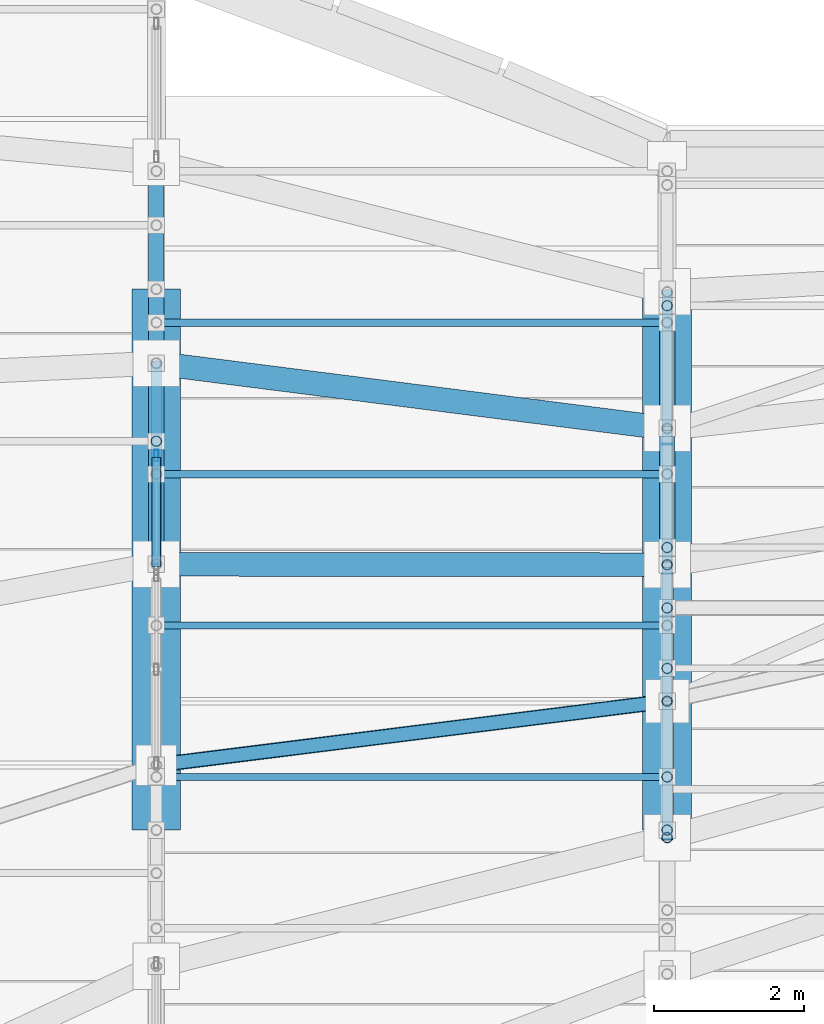
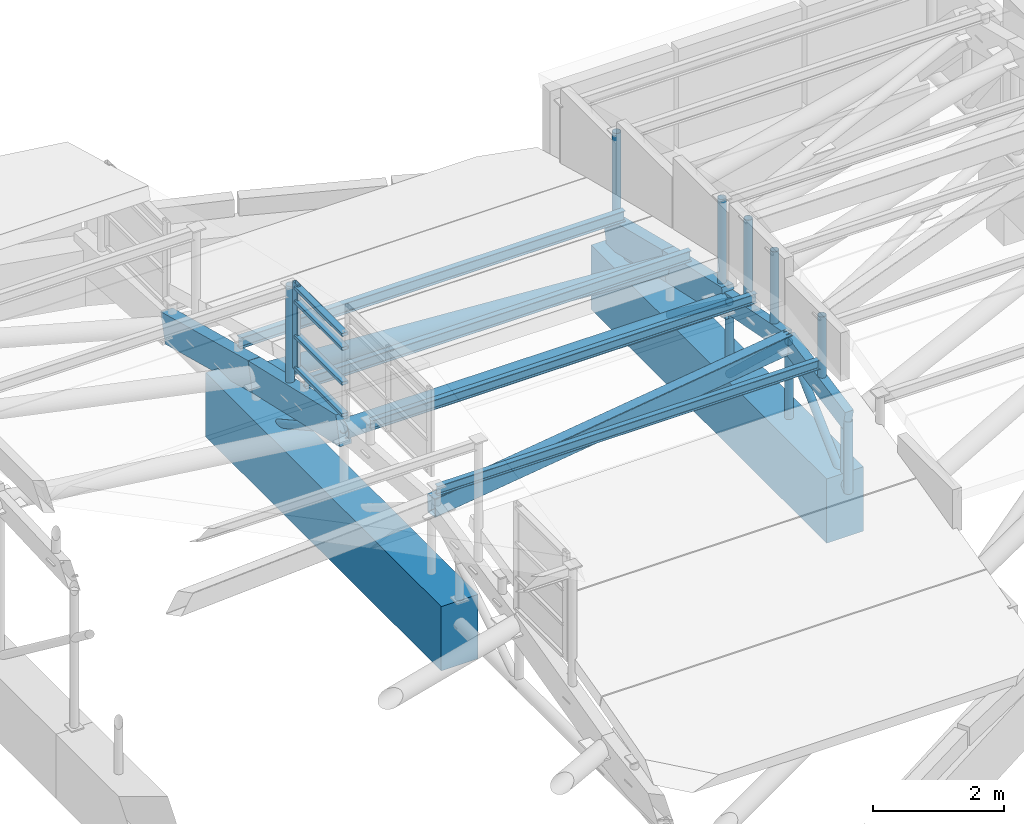
# One storey, part 105 of 188: 33 members, 2 beams, 1 element without a shape of its own.
"""IFC4 building model written with IfcOpenShell, lengths in metres."""

from ifc_helpers import new_model, si_unit, direction, frame, origin, origin_2d, place, context, subcontext, project, spatial, rectangle, hollow_rectangle, hollow_circle, i_section, extrude, material, layer, layer_set, material_profile, profile_set, type_object, element, aggregate, save


model = new_model("IFC4")

# Units and contexts
model_context = context("Model", 3, precision=1e-05, world=origin(), true_north=direction((0.0, 1.0)))
body_context = subcontext(model_context, "Body", "Model", "MODEL_VIEW")
ifc_project = project(units=[si_unit("LENGTHUNIT", "METRE"), si_unit("AREAUNIT", "SQUARE_METRE"), si_unit("VOLUMEUNIT", "CUBIC_METRE"), si_unit("PLANEANGLEUNIT", "RADIAN"), si_unit("MASSUNIT", "GRAM", prefix="KILO")], contexts=[model_context])

# Site, building, storey
site_placement = place(None, origin())
site = spatial("IfcSite", under=ifc_project, at=site_placement, CompositionType="ELEMENT")
building_placement = place(site_placement, origin())
building = spatial("IfcBuilding", under=site, at=building_placement, Name="Kisaragi Civic Commons", CompositionType="ELEMENT")
storey_placement = place(building_placement, frame((0.0, 0.0, 9.60009765625)))
storey = spatial("IfcBuildingStorey", under=building, at=storey_placement, Name="L02", CompositionType="ELEMENT", Elevation=9.60009765625)

# Curtain wall, members
ifc_material_1 = material(Name="Thermally broken anodized aluminium and low-E double glazing", Category="aluminium")
ifc_layer = layer(ifc_material_1, 0.14990234375, Name="Thermally broken anodized aluminium and low-E double glazing", Category="aluminium")
ifc_layer_set = layer_set([ifc_layer], Name="Thermally broken anodized aluminium and low-E double glazing")
curtain_wall_type = type_object("IfcCurtainWallType", Name="CW-03", PredefinedType="NOTDEFINED", material=ifc_layer_set)
curtain_wall_placement = place(storey_placement, origin())
curtain_wall = element("IfcCurtainWall", 1, at=curtain_wall_placement, inside=storey, type_object=curtain_wall_type, Name="L02 curtain wall CW-03 CW-CL-V2-217", PredefinedType="NOTDEFINED")
ifc_material_profile_1 = material_profile(ifc_material_1, hollow_rectangle(XDim=0.06005859375, YDim=0.14990234375, WallThickness=0.00390625, InnerFilletRadius=0.00390625, OuterFilletRadius=0.008056640625, at=origin_2d()), Name="CWM-60x150x4", Category="aluminium")
ifc_profile_set_1 = profile_set([ifc_material_profile_1], Name="Thermally broken anodized aluminium and low-E double glazing")
member_type_1 = type_object("IfcMemberType", Name="CWM-01", PredefinedType="MULLION", material=ifc_profile_set_1)
member_1_placement = place(storey_placement, frame((40.800048828125, 109.386962890625, 1.235595703125), z_axis=(0.0, 0.0, 1.0), x_axis=(-1.0, 0.0, 0.0)))
member_1 = element("IfcMember", 2, at=member_1_placement, type_object=member_type_1, Name="CW-03 mullion 2", PredefinedType="MULLION", context=body_context, shape_type="SweptSolid", body=[
    extrude(hollow_rectangle(XDim=0.06005859375, YDim=0.14990234375, WallThickness=0.00390625, InnerFilletRadius=0.00390625, OuterFilletRadius=0.008056640625, at=origin_2d()), origin(), (0.0, 0.0, 1.0), 1.61962890625),
])
ifc_material_profile_2 = material_profile(ifc_material_1, hollow_rectangle(XDim=0.1201171875, YDim=0.06005859375, WallThickness=0.00390625, InnerFilletRadius=0.00390625, OuterFilletRadius=0.008056640625, at=origin_2d()), Name="CWT-60x120x4", Category="aluminium")
ifc_profile_set_2 = profile_set([ifc_material_profile_2], Name="Thermally broken anodized aluminium and low-E double glazing")
member_type_2 = type_object("IfcMemberType", Name="CWT-01", PredefinedType="USERDEFINED", material=ifc_profile_set_2)
member_2_placement = place(storey_placement, frame((40.800048828125, 107.8994140625, 1.29541015625), z_axis=(0.0, 1.0, 0.0), x_axis=(-1.0, 0.0, 0.0)))
member_2 = element("IfcMember", 3, at=member_2_placement, type_object=member_type_2, Name="CW-03 transom 1.1", ObjectType="TRANSOM", PredefinedType="USERDEFINED", context=body_context, shape_type="SweptSolid", body=[
    extrude(hollow_rectangle(XDim=0.1201171875, YDim=0.06005859375, WallThickness=0.00390625, InnerFilletRadius=0.00390625, OuterFilletRadius=0.008056640625, at=origin_2d()), origin(), (0.0, 0.0, 1.0), 1.45751953125),
])
member_3_placement = place(storey_placement, frame((40.800048828125, 107.8994140625, 1.885498046875), z_axis=(0.0, 1.0, 0.0), x_axis=(-1.0, 0.0, 0.0)))
member_3 = element("IfcMember", 4, at=member_3_placement, type_object=member_type_2, Name="CW-03 transom 1.2", ObjectType="TRANSOM", PredefinedType="USERDEFINED", context=body_context, shape_type="SweptSolid", body=[
    extrude(hollow_rectangle(XDim=0.1201171875, YDim=0.06005859375, WallThickness=0.00390625, InnerFilletRadius=0.00390625, OuterFilletRadius=0.008056640625, at=origin_2d()), origin(), (0.0, 0.0, 1.0), 1.45751953125),
])
member_4_placement = place(storey_placement, frame((40.800048828125, 107.8994140625, 2.535400390625), z_axis=(0.0, 1.0, 0.0), x_axis=(-1.0, 0.0, 0.0)))
member_4 = element("IfcMember", 5, at=member_4_placement, type_object=member_type_2, Name="CW-03 transom 1.3", ObjectType="TRANSOM", PredefinedType="USERDEFINED", context=body_context, shape_type="SweptSolid", body=[
    extrude(hollow_rectangle(XDim=0.1201171875, YDim=0.06005859375, WallThickness=0.00390625, InnerFilletRadius=0.00390625, OuterFilletRadius=0.008056640625, at=origin_2d()), origin(), (0.0, 0.0, 1.0), 1.45751953125),
])
member_5_placement = place(storey_placement, frame((40.800048828125, 107.8994140625, 2.795166015625), z_axis=(0.0, 1.0, 0.0), x_axis=(-1.0, 0.0, 0.0)))
member_5 = element("IfcMember", 6, at=member_5_placement, type_object=member_type_2, Name="CW-03 transom 1.4", ObjectType="TRANSOM", PredefinedType="USERDEFINED", context=body_context, shape_type="SweptSolid", body=[
    extrude(hollow_rectangle(XDim=0.1201171875, YDim=0.06005859375, WallThickness=0.00390625, InnerFilletRadius=0.00390625, OuterFilletRadius=0.008056640625, at=origin_2d()), origin(), (0.0, 0.0, 1.0), 1.45751953125),
])
aggregate(curtain_wall, [member_1, member_2, member_3, member_4, member_5])

# Beams
ifc_material_2 = material(Name="Concrete Fc36", Category="concrete")
ifc_material_profile_3 = material_profile(ifc_material_2, rectangle(XDim=0.64990234375, YDim=1.199951171875, at=origin_2d()), Name="RC-650x1200", Category="concrete")
ifc_profile_set_3 = profile_set([ifc_material_profile_3], Name="Concrete Fc36")
beam_type = type_object("IfcBeamType", Name="G-07", PredefinedType="BEAM", material=ifc_profile_set_3)
for number, where, z_axis, x_axis, name in (
    (7, (40.800048828125, 104.39990234375, -0.650146484375), (0.0, 1.0, 0.0), (-1.0, 0.0, 0.0), "V2 arch transfer RC girder G-07 R6"),
    (8, (47.60009765625, 104.39990234375, -0.650146484375), (0.0, 1.0, 0.0), (-1.0, 0.0, 0.0), "V2 arch transfer RC girder G-07 R7"),
):
    element("IfcBeam", number, at=place(storey_placement, frame(where, z_axis=z_axis, x_axis=x_axis)), inside=storey, type_object=beam_type, Name=name, PredefinedType="BEAM", context=body_context, shape_type="SweptSolid", body=[
        extrude(rectangle(XDim=0.64990234375, YDim=1.199951171875, at=origin_2d()), origin(), (0.0, 0.0, 1.0), 7.2001953125),
    ])

# Members
ifc_material_3 = material(Name="Steel SN490 (SN490B)", Category="steel")
ifc_material_profile_4 = material_profile(ifc_material_3, hollow_circle(Radius=0.1591796875, WallThickness=0.01025390625, at=origin_2d()), Name="CHS-318.5x10.3", Category="steel")
ifc_profile_set_4 = profile_set([ifc_material_profile_4], Name="Steel SN490 (SN490B)")
member_type_3 = type_object("IfcMemberType", Name="GC-03", PredefinedType="CHORD", material=ifc_profile_set_4)
member_6_placement = place(storey_placement, frame((40.800048828125, 107.939453125, 1.0029296875), z_axis=(0.999999308447, -0.001148888015, 0.000251319253), x_axis=(0.001148888051, 0.999999340028, 0.0)))
element("IfcMember", 9, at=member_6_placement, inside=storey, type_object=member_type_3, Name="V2 wave gridshell chord GC-03 47", PredefinedType="CHORD", context=body_context, shape_type="SweptSolid", body=[
    extrude(hollow_circle(Radius=0.1591796875, WallThickness=0.01025390625, at=origin_2d()), origin(), (0.0, 0.0, 1.0), 6.800048828125),
])
member_7_placement = place(storey_placement, frame((40.800048828125, 110.614501953125, 0.388671875), z_axis=(0.991495053478, -0.126370855558, 0.031112148664), x_axis=(0.126432061328, 0.991975268779, 0.0)))
element("IfcMember", 10, at=member_7_placement, inside=storey, type_object=member_type_3, Name="V2 wave gridshell chord GC-03 48", PredefinedType="CHORD", context=body_context, shape_type="SweptSolid", body=[
    extrude(hollow_circle(Radius=0.1591796875, WallThickness=0.01025390625, at=origin_2d()), origin(), (0.0, 0.0, 1.0), 6.8583984375),
])
ifc_material_profile_5 = material_profile(ifc_material_3, hollow_rectangle(XDim=0.199951171875, YDim=0.35009765625, WallThickness=0.009033203125, InnerFilletRadius=0.009033203125, OuterFilletRadius=0.01806640625, at=origin_2d()), Name="STKR-350x200x9", Category="steel")
ifc_profile_set_5 = profile_set([ifc_material_profile_5], Name="Steel SN490 (SN490B)")
member_type_4 = type_object("IfcMemberType", Name="GC-04", PredefinedType="CHORD", material=ifc_profile_set_5)
member_8_placement = place(storey_placement, frame((40.800048828125, 105.2646484375, 1.19482421875), z_axis=(0.991973753249, 0.124116918467, 0.024146706089), x_axis=(-0.124153118315, 0.992263071576, 0.0)))
element("IfcMember", 11, at=member_8_placement, inside=storey, type_object=member_type_4, Name="V2 wave gridshell chord GC-04 46", PredefinedType="CHORD", context=body_context, shape_type="SweptSolid", body=[
    extrude(hollow_rectangle(XDim=0.199951171875, YDim=0.35009765625, WallThickness=0.009033203125, InnerFilletRadius=0.009033203125, OuterFilletRadius=0.01806640625, at=origin_2d()), origin(), (0.0, 0.0, 1.0), 6.85498046875),
])
ifc_material_4 = material(Name="Glulam E120-F330", Category="wood")
ifc_material_profile_6 = material_profile(ifc_material_4, rectangle(XDim=0.2099609375, YDim=0.5400390625, at=origin_2d()), Name="GL-210x540", Category="wood")
ifc_profile_set_6 = profile_set([ifc_material_profile_6], Name="Glulam E120-F330")
member_type_5 = type_object("IfcMemberType", Name="GR-04", PredefinedType="RAFTER", material=ifc_profile_set_6)
member_9_placement = place(storey_placement, frame((40.800048828125, 107.939453125, 1.0029296875), z_axis=(0.0, 0.974634985415, -0.223800458456), x_axis=(-1.0, 0.0, 0.0)))
element("IfcMember", 12, at=member_9_placement, inside=storey, type_object=member_type_5, Name="V2 glulam arch rib GR-04 54", PredefinedType="RAFTER", context=body_context, shape_type="SweptSolid", body=[
    extrude(rectangle(XDim=0.2099609375, YDim=0.5400390625, at=origin_2d()), origin(), (0.0, 0.0, 1.0), 2.74462890625),
])
member_10_placement = place(storey_placement, frame((40.800048828125, 110.614501953125, 0.388671875), z_axis=(0.0, 0.966816851446, -0.255470498807), x_axis=(-1.0, 0.0, 0.0)))
element("IfcMember", 13, at=member_10_placement, inside=storey, type_object=member_type_5, Name="V2 glulam arch rib GR-04 55", PredefinedType="RAFTER", context=body_context, shape_type="SweptSolid", body=[
    extrude(rectangle(XDim=0.2099609375, YDim=0.5400390625, at=origin_2d()), origin(), (0.0, 0.0, 1.0), 2.7666015625),
])
member_11_placement = place(storey_placement, frame((47.60009765625, 107.931640625, 1.004638671875), z_axis=(0.0, 0.97630118158, -0.216416272137), x_axis=(-1.0, 0.0, 0.0)))
element("IfcMember", 14, at=member_11_placement, inside=storey, type_object=member_type_5, Name="V2 glulam arch rib GR-04 62", PredefinedType="RAFTER", context=body_context, shape_type="SweptSolid", body=[
    extrude(rectangle(XDim=0.2099609375, YDim=0.5400390625, at=origin_2d()), origin(), (0.0, 0.0, 1.0), 1.8603515625),
])
member_12_placement = place(storey_placement, frame((47.60009765625, 109.747802734375, 0.60205078125), z_axis=(0.0, 0.97062410738, -0.240601002018), x_axis=(-1.0, 0.0, 0.0)))
element("IfcMember", 15, at=member_12_placement, inside=storey, type_object=member_type_5, Name="V2 glulam arch rib GR-04 63", PredefinedType="RAFTER", context=body_context, shape_type="SweptSolid", body=[
    extrude(rectangle(XDim=0.2099609375, YDim=0.5400390625, at=origin_2d()), origin(), (0.0, 0.0, 1.0), 1.87109375),
])
ifc_material_profile_7 = material_profile(ifc_material_4, rectangle(XDim=0.14990234375, YDim=0.360107421875, at=origin_2d()), Name="GL-150x360", Category="wood")
ifc_profile_set_7 = profile_set([ifc_material_profile_7], Name="Glulam E120-F330")
member_type_6 = type_object("IfcMemberType", Name="GR-06", PredefinedType="RAFTER", material=ifc_profile_set_7)
member_13_placement = place(storey_placement, frame((47.60009765625, 104.299560546875, 1.004638671875), z_axis=(0.0, 0.981349391547, 0.192232597941), x_axis=(-1.0, 0.0, 0.0)))
element("IfcMember", 16, at=member_13_placement, inside=storey, type_object=member_type_6, Name="V2 glulam arch rib GR-06 60", PredefinedType="RAFTER", context=body_context, shape_type="SweptSolid", body=[
    extrude(rectangle(XDim=0.14990234375, YDim=0.360107421875, at=origin_2d()), origin(), (0.0, 0.0, 1.0), 1.850341796875),
])
member_14_placement = place(storey_placement, frame((47.60009765625, 106.115478515625, 1.3603515625), z_axis=(0.0, 0.981354266127, -0.192207711486), x_axis=(-1.0, 0.0, 0.0)))
element("IfcMember", 17, at=member_14_placement, inside=storey, type_object=member_type_6, Name="V2 glulam arch rib GR-06 61", PredefinedType="RAFTER", context=body_context, shape_type="SweptSolid", body=[
    extrude(rectangle(XDim=0.14990234375, YDim=0.360107421875, at=origin_2d()), origin(), (0.0, 0.0, 1.0), 1.8505859375),
])
ifc_material_5 = material(Name="Steel SN400 (SN400B)", Category="steel")
ifc_material_profile_8 = material_profile(ifc_material_5, i_section(OverallWidth=0.10009765625, OverallDepth=0.199951171875, WebThickness=0.005615234375, FlangeThickness=0.008056640625, FilletRadius=0.008056640625, at=origin_2d()), Name="H-200x100x5.5x8", Category="steel")
ifc_profile_set_8 = profile_set([ifc_material_profile_8], Name="Steel SN400 (SN400B)")
member_type_7 = type_object("IfcMemberType", Name="PR-02", PredefinedType="PURLIN", material=ifc_profile_set_8)
for number, where, z_axis, x_axis, name in (
    (18, (40.800048828125, 109.1396484375, 1.150390625), (1.0, 0.0, 0.0), (0.0, 1.0, 0.0), "V2 wave vault steel purlin 53"),
    (19, (40.800048828125, 111.156005859375, 0.672607421875), (1.0, 0.0, 0.0), (0.0, 1.0, 0.0), "V2 wave vault steel purlin 54"),
):
    element("IfcMember", number, at=place(storey_placement, frame(where, z_axis=z_axis, x_axis=x_axis)), inside=storey, type_object=member_type_7, Name=name, PredefinedType="PURLIN", context=body_context, shape_type="SweptSolid", body=[
        extrude(i_section(OverallWidth=0.10009765625, OverallDepth=0.199951171875, WebThickness=0.005615234375, FlangeThickness=0.008056640625, FilletRadius=0.008056640625, at=origin_2d()), origin(), (0.0, 0.0, 1.0), 6.800048828125),
    ])
ifc_material_profile_9 = material_profile(ifc_material_5, i_section(OverallWidth=0.090087890625, OverallDepth=0.175048828125, WebThickness=0.0048828125, FlangeThickness=0.008056640625, FilletRadius=0.008056640625, at=origin_2d()), Name="H-175x90x5x8", Category="steel")
ifc_profile_set_9 = profile_set([ifc_material_profile_9], Name="Steel SN400 (SN400B)")
member_type_8 = type_object("IfcMemberType", Name="PR-03", PredefinedType="PURLIN", material=ifc_profile_set_9)
for number, where, z_axis, x_axis, name in (
    (20, (40.800048828125, 105.107666015625, 1.5859375), (1.0, 0.0, 0.0), (0.0, 1.0, 0.0), "V2 wave vault steel purlin 51"),
    (21, (40.800048828125, 107.123779296875, 1.5859375), (1.0, 0.0, 0.0), (0.0, 1.0, 0.0), "V2 wave vault steel purlin 52"),
):
    element("IfcMember", number, at=place(storey_placement, frame(where, z_axis=z_axis, x_axis=x_axis)), inside=storey, type_object=member_type_8, Name=name, PredefinedType="PURLIN", context=body_context, shape_type="SweptSolid", body=[
        extrude(i_section(OverallWidth=0.090087890625, OverallDepth=0.175048828125, WebThickness=0.0048828125, FlangeThickness=0.008056640625, FilletRadius=0.008056640625, at=origin_2d()), origin(), (0.0, 0.0, 1.0), 6.800048828125),
    ])
ifc_material_profile_10 = material_profile(ifc_material_3, hollow_circle(Radius=0.06982421875, WallThickness=0.006103515625, at=origin_2d()), Name="CHS-139.8x6.0", Category="steel")
ifc_profile_set_10 = profile_set([ifc_material_profile_10], Name="Steel SN490 (SN490B)")
member_type_9 = type_object("IfcMemberType", Name="ST-H1", PredefinedType="STRUT", material=ifc_profile_set_10)
member_15_placement = place(storey_placement, frame((40.800048828125, 110.614501953125, -0.48193359375), z_axis=(0.0, -0.874334126242, 0.485324464343), x_axis=(1.0, 0.0, 0.0)))
element("IfcMember", 22, at=member_15_placement, inside=storey, type_object=member_type_9, Name="V2 tied arch truss diagonal web strut 96", PredefinedType="STRUT", context=body_context, shape_type="SweptSolid", body=[
    extrude(hollow_circle(Radius=0.06982421875, WallThickness=0.006103515625, at=origin_2d()), origin(), (0.0, 0.0, 1.0), 3.0595703125),
])
member_16_placement = place(storey_placement, frame((47.60009765625, 104.299560546875, -0.34326171875), z_axis=(0.0, 0.0, 1.0), x_axis=(1.0, 0.0, 0.0)))
element("IfcMember", 23, at=member_16_placement, inside=storey, type_object=member_type_9, Name="V2 arch tie hanger strut 101", PredefinedType="STRUT", context=body_context, shape_type="SweptSolid", body=[
    extrude(hollow_circle(Radius=0.06982421875, WallThickness=0.006103515625, at=origin_2d()), origin(), (0.0, 0.0, 1.0), 1.347900390625),
])
member_17_placement = place(storey_placement, frame((47.60009765625, 106.115478515625, -0.34326171875), z_axis=(0.0, 0.0, 1.0), x_axis=(1.0, 0.0, 0.0)))
element("IfcMember", 24, at=member_17_placement, inside=storey, type_object=member_type_9, Name="V2 arch tie hanger strut 102", PredefinedType="STRUT", context=body_context, shape_type="SweptSolid", body=[
    extrude(hollow_circle(Radius=0.06982421875, WallThickness=0.006103515625, at=origin_2d()), origin(), (0.0, 0.0, 1.0), 1.70361328125),
])
member_18_placement = place(storey_placement, frame((47.60009765625, 107.931640625, -0.34326171875), z_axis=(0.0, 0.0, 1.0), x_axis=(1.0, 0.0, 0.0)))
element("IfcMember", 25, at=member_18_placement, inside=storey, type_object=member_type_9, Name="V2 arch tie hanger strut 103", PredefinedType="STRUT", context=body_context, shape_type="SweptSolid", body=[
    extrude(hollow_circle(Radius=0.06982421875, WallThickness=0.006103515625, at=origin_2d()), origin(), (0.0, 0.0, 1.0), 1.347900390625),
])
member_19_placement = place(storey_placement, frame((47.60009765625, 104.299560546875, -0.34326171875), z_axis=(0.0, 0.729298658881, 0.684195488259), x_axis=(-1.0, 0.0, 0.0)))
element("IfcMember", 26, at=member_19_placement, inside=storey, type_object=member_type_9, Name="V2 tied arch truss diagonal web strut 108", PredefinedType="STRUT", context=body_context, shape_type="SweptSolid", body=[
    extrude(hollow_circle(Radius=0.06982421875, WallThickness=0.006103515625, at=origin_2d()), origin(), (0.0, 0.0, 1.0), 2.489990234375),
])
member_20_placement = place(storey_placement, frame((47.60009765625, 107.931640625, -0.34326171875), z_axis=(0.0, -0.729344553638, 0.684146564765), x_axis=(1.0, 0.0, 0.0)))
element("IfcMember", 27, at=member_20_placement, inside=storey, type_object=member_type_9, Name="V2 tied arch truss diagonal web strut 109", PredefinedType="STRUT", context=body_context, shape_type="SweptSolid", body=[
    extrude(hollow_circle(Radius=0.06982421875, WallThickness=0.006103515625, at=origin_2d()), origin(), (0.0, 0.0, 1.0), 2.490234375),
])
member_21_placement = place(storey_placement, frame((47.60009765625, 109.747802734375, -0.34326171875), z_axis=(0.0, -0.80300804018, 0.595968193284), x_axis=(1.0, 0.0, 0.0)))
element("IfcMember", 28, at=member_21_placement, inside=storey, type_object=member_type_9, Name="V2 tied arch truss diagonal web strut 110", PredefinedType="STRUT", context=body_context, shape_type="SweptSolid", body=[
    extrude(hollow_circle(Radius=0.06982421875, WallThickness=0.006103515625, at=origin_2d()), origin(), (0.0, 0.0, 1.0), 2.26171875),
])
member_22_placement = place(storey_placement, frame((47.60009765625, 111.56396484375, -0.34326171875), z_axis=(0.0, -0.887035167552, 0.461701864331), x_axis=(1.0, 0.0, 0.0)))
element("IfcMember", 29, at=member_22_placement, inside=storey, type_object=member_type_9, Name="V2 tied arch truss diagonal web strut 111", PredefinedType="STRUT", context=body_context, shape_type="SweptSolid", body=[
    extrude(hollow_circle(Radius=0.06982421875, WallThickness=0.006103515625, at=origin_2d()), origin(), (0.0, 0.0, 1.0), 2.04736328125),
])
member_23_placement = place(storey_placement, frame((47.60009765625, 104.39990234375, -0.02001953125), z_axis=(0.0, 0.0, 1.0), x_axis=(1.0, 0.0, 0.0)))
element("IfcMember", 30, at=member_23_placement, inside=storey, type_object=member_type_9, Name="V2 interior column arch support post (47.6,104.4)", PredefinedType="STRUT", context=body_context, shape_type="SweptSolid", body=[
    extrude(hollow_circle(Radius=0.06982421875, WallThickness=0.006103515625, at=origin_2d()), origin(), (0.0, 0.0, 1.0), 1.04443359375),
])
member_24_placement = place(storey_placement, frame((40.800048828125, 109.576904296875, 0.626953125), z_axis=(0.0, 0.0, 1.0), x_axis=(1.0, 0.0, 0.0)))
element("IfcMember", 31, at=member_24_placement, inside=storey, type_object=member_type_9, Name="V2 clerestory monitor horizontal tie strut 6.6.6", PredefinedType="STRUT", context=body_context, shape_type="SweptSolid", body=[
    extrude(hollow_circle(Radius=0.06982421875, WallThickness=0.006103515625, at=origin_2d()), origin(), (0.0, 0.0, 1.0), 2.086181640625),
])
member_25_placement = place(storey_placement, frame((47.60009765625, 105.107666015625, 1.130615234375), z_axis=(0.0, 0.0, 1.0), x_axis=(1.0, 0.0, 0.0)))
element("IfcMember", 32, at=member_25_placement, inside=storey, type_object=member_type_9, Name="V2 clerestory monitor horizontal tie strut 7.7.4", PredefinedType="STRUT", context=body_context, shape_type="SweptSolid", body=[
    extrude(hollow_circle(Radius=0.06982421875, WallThickness=0.006103515625, at=origin_2d()), origin(), (0.0, 0.0, 1.0), 1.34423828125),
])
member_26_placement = place(storey_placement, frame((47.60009765625, 107.357421875, 1.1171875), z_axis=(0.0, 0.0, 1.0), x_axis=(1.0, 0.0, 0.0)))
element("IfcMember", 33, at=member_26_placement, inside=storey, type_object=member_type_9, Name="V2 clerestory monitor horizontal tie strut 8.7.rdg", PredefinedType="STRUT", context=body_context, shape_type="SweptSolid", body=[
    extrude(hollow_circle(Radius=0.06982421875, WallThickness=0.006103515625, at=origin_2d()), origin(), (0.0, 0.0, 1.0), 1.7998046875),
])
member_27_placement = place(storey_placement, frame((47.60009765625, 106.552734375, 1.274658203125), z_axis=(0.0, 0.0, 1.0), x_axis=(1.0, 0.0, 0.0)))
element("IfcMember", 34, at=member_27_placement, inside=storey, type_object=member_type_9, Name="V2 clerestory monitor horizontal tie strut 8.7.4", PredefinedType="STRUT", context=body_context, shape_type="SweptSolid", body=[
    extrude(hollow_circle(Radius=0.06982421875, WallThickness=0.006103515625, at=origin_2d()), origin(), (0.0, 0.0, 1.0), 1.53857421875),
])
member_28_placement = place(storey_placement, frame((47.60009765625, 108.161865234375, 0.95361328125), z_axis=(0.0, 0.0, 1.0), x_axis=(1.0, 0.0, 0.0)))
element("IfcMember", 35, at=member_28_placement, inside=storey, type_object=member_type_9, Name="V2 clerestory monitor horizontal tie strut 8.7.5", PredefinedType="STRUT", context=body_context, shape_type="SweptSolid", body=[
    extrude(hollow_circle(Radius=0.06982421875, WallThickness=0.006103515625, at=origin_2d()), origin(), (0.0, 0.0, 1.0), 1.859619140625),
])
member_29_placement = place(storey_placement, frame((47.60009765625, 111.38037109375, 0.197509765625), z_axis=(0.0, 0.0, 1.0), x_axis=(1.0, 0.0, 0.0)))
element("IfcMember", 36, at=member_29_placement, inside=storey, type_object=member_type_9, Name="V2 clerestory monitor horizontal tie strut 8.7.7", PredefinedType="STRUT", context=body_context, shape_type="SweptSolid", body=[
    extrude(hollow_circle(Radius=0.06982421875, WallThickness=0.006103515625, at=origin_2d()), origin(), (0.0, 0.0, 1.0), 1.8955078125),
])

save(model, "model.ifc")
